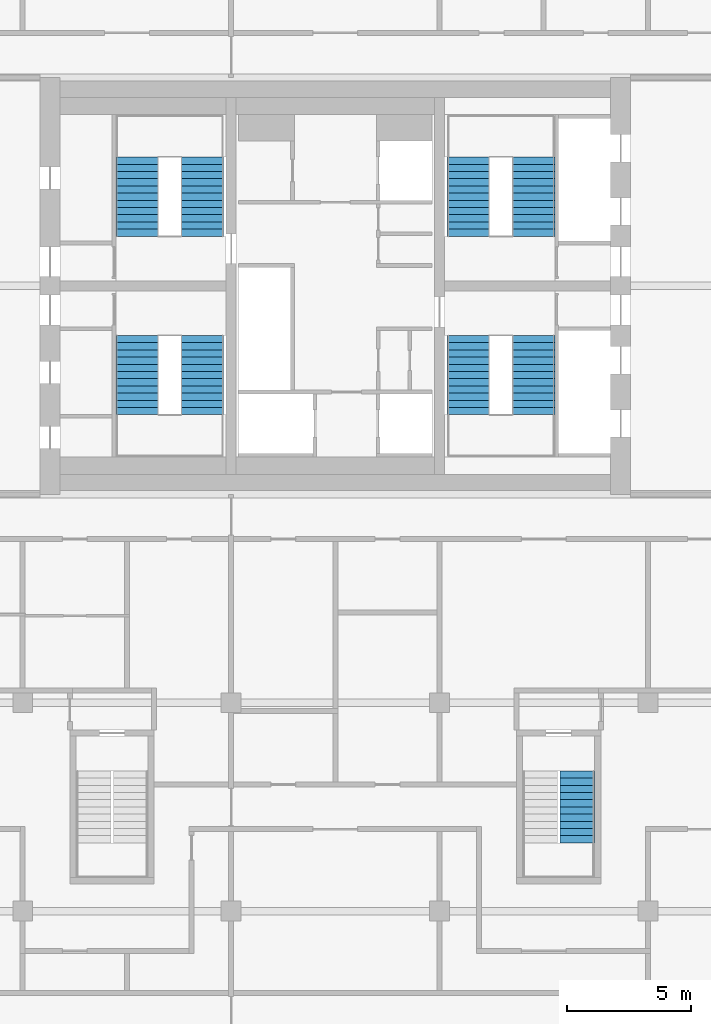
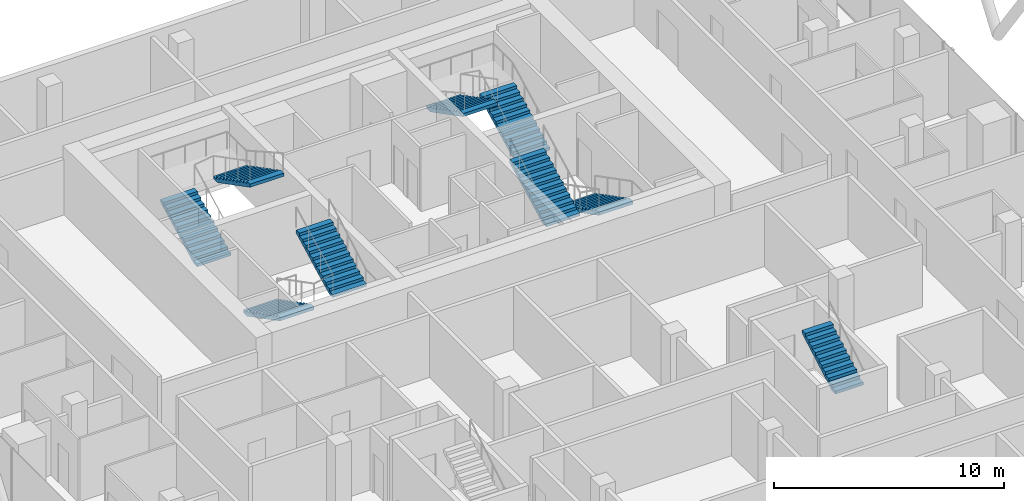
# One storey, part 27 of 28: 9 stair flights, 5 elements without a shape of their own.
"""IFC4 building model written with IfcOpenShell, lengths in metres."""

import ifcopenshell
import ifcopenshell.guid

model = None  # the IFC model being written
_history = None  # IfcOwnerHistory: only IFC2X3 demands one
_inside = {}  # id of a spatial element -> (the spatial element, [elements in it])
_under = {}  # id of a project, library or spatial element -> (it, [spatial elements below it])
_declared = {}  # id of a project -> (the project, [libraries it declares])
_typed = {}  # id of a type object -> (the type object, [elements of that type])
_made_of = {}  # id of a material, layer set ... -> (it, [elements and type objects made of it])


def new_model(schema):
    """Start an empty IFC model of exactly this schema.

    Asked for "IFC4X3", IfcOpenShell would pick the latest addendum, in which some entities
    have other attributes; the version numbers below select the first issue.
    IFC2X3 requires an IfcOwnerHistory on every rooted entity: one is made here for all.
    """
    global model, _history
    if schema == "IFC4X3":
        model = ifcopenshell.file(schema_version=(4, 3, 0, 0))
    else:
        model = ifcopenshell.file(schema=schema)
    _inside.clear()
    _under.clear()
    _declared.clear()
    _typed.clear()
    _made_of.clear()
    _history = None
    if model.schema == "IFC2X3":
        org = make("IfcOrganization", Name="unknown")
        user = make(
            "IfcPersonAndOrganization",
            ThePerson=make("IfcPerson", FamilyName="unknown"),
            TheOrganization=org,
        )
        app = make(
            "IfcApplication",
            ApplicationDeveloper=org,
            Version="unknown",
            ApplicationFullName="unknown",
            ApplicationIdentifier="unknown",
        )
        _history = make(
            "IfcOwnerHistory",
            OwningUser=user,
            OwningApplication=app,
            ChangeAction="ADDED",
            CreationDate=0,
        )
    return model


def make(cls, **values):
    """One entity of the class cls with the attributes given. An attribute that is None is left unset."""
    return model.create_entity(
        cls, **{name: value for name, value in values.items() if value is not None}
    )


def rooted(cls, **values):
    """An entity with a GlobalId (a new one), such as an element, a storey or a relation."""
    return make(cls, GlobalId=ifcopenshell.guid.new(), OwnerHistory=_history, **values)


def si_unit(unit_type, name, prefix=None):
    """IfcSIUnit, for example si_unit("LENGTHUNIT", "METRE", prefix="MILLI")."""
    return make("IfcSIUnit", UnitType=unit_type, Prefix=prefix, Name=name)


def assignment(units):
    """IfcUnitAssignment: the units of a project."""
    return None if units is None else make("IfcUnitAssignment", Units=units)


def point(xyz):
    """IfcCartesianPoint."""
    return None if xyz is None else make("IfcCartesianPoint", Coordinates=xyz)


def direction(xyz):
    """IfcDirection."""
    return None if xyz is None else make("IfcDirection", DirectionRatios=xyz)


def frame(location, z_axis=None, x_axis=None):
    """IfcAxis2Placement3D, a coordinate frame: its origin and axes. An axis left out is left unset."""
    return make(
        "IfcAxis2Placement3D",
        Location=point(location),
        Axis=direction(z_axis),
        RefDirection=direction(x_axis),
    )


def origin():
    """The frame at (0, 0, 0) with its axes left unset."""
    return frame((0.0, 0.0, 0.0))


def place(relative_to, where):
    """IfcLocalPlacement: puts the frame where relative to a parent placement (None: the world)."""
    return make(
        "IfcLocalPlacement", PlacementRelTo=relative_to, RelativePlacement=where
    )


def context(
    kind, dimensions, precision=None, world=None, true_north=None, identifier=None
):
    """IfcGeometricRepresentationContext, for example the 3D "Model" context."""
    return make(
        "IfcGeometricRepresentationContext",
        ContextIdentifier=identifier,
        ContextType=kind,
        CoordinateSpaceDimension=dimensions,
        Precision=precision,
        WorldCoordinateSystem=world,
        TrueNorth=true_north,
    )


def subcontext(parent, identifier, kind, view, scale=None):
    """IfcGeometricRepresentationSubContext, for example "Body" below "Model"."""
    return make(
        "IfcGeometricRepresentationSubContext",
        ContextIdentifier=identifier,
        ContextType=kind,
        ParentContext=parent,
        TargetScale=scale,
        TargetView=view,
    )


def project(units=None, contexts=None):
    """IfcProject with its units and contexts."""
    return rooted(
        "IfcProject",
        Name="project",
        RepresentationContexts=contexts,
        UnitsInContext=assignment(units),
    )


def spatial(cls, under=None, at=None, **own):
    """A site, building, storey or space (cls), placed at a placement, below another one or the project."""
    s = rooted(cls, ObjectPlacement=at, **own)
    if under is not None:
        _under.setdefault(under.id(), (under, []))[1].append(s)
    return s


def polyline(points):
    """IfcPolyline through the points."""
    return make("IfcPolyline", Points=[point(p) for p in points])


def outline(outer, holes=None, kind="AREA"):
    """IfcArbitraryClosedProfileDef: a profile drawn as a closed curve; with holes, ...WithVoids."""
    if holes is None:
        return make("IfcArbitraryClosedProfileDef", ProfileType=kind, OuterCurve=outer)
    return make(
        "IfcArbitraryProfileDefWithVoids",
        ProfileType=kind,
        OuterCurve=outer,
        InnerCurves=holes,
    )


def extrude(swept, where, along, depth):
    """IfcExtrudedAreaSolid: the profile swept, set in the frame where, extruded along a direction by depth."""
    return make(
        "IfcExtrudedAreaSolid",
        SweptArea=swept,
        Position=where,
        ExtrudedDirection=direction(along),
        Depth=depth,
    )


def shape(context_of_items, identifier, shape_type, items):
    """IfcShapeRepresentation: the items that make up one representation, for example the "Body"."""
    return make(
        "IfcShapeRepresentation",
        ContextOfItems=context_of_items,
        RepresentationIdentifier=identifier,
        RepresentationType=shape_type,
        Items=items,
    )


def material(Name=None, Category=None):
    """IfcMaterial."""
    return make("IfcMaterial", Name=Name, Category=Category)


def made_of(thing, what):
    """Note that an element or type object is made of a material, layer set ...; save() writes the relation."""
    if what is not None:
        _made_of.setdefault(what.id(), (what, []))[1].append(thing)
    return thing


def type_object(cls, material=None, **own):
    """A type object (cls), such as IfcWallType, which elements share."""
    return made_of(rooted(cls, **own), material)


def element(
    cls,
    number,
    at=None,
    inside=None,
    cuts=None,
    type_object=None,
    material=None,
    context=None,
    identifier="Body",
    shape_type=None,
    held_by="IfcProductDefinitionShape",
    body=None,
    shapes=None,
    **own,
):
    """One element of the class cls, such as IfcWall. Its Tag is "e" and its number.

    at: its placement. inside: the storey or other place that contains it. cuts: it is an
    opening in that element (IfcRelVoidsElement). A single representation is given by context,
    identifier, shape_type and body (its items); several are given by shapes. held_by: the class
    of the entity that holds the representations. save() writes the other relations.
    """
    e = rooted(cls, Tag="e%d" % number, ObjectPlacement=at, **own)
    if body is not None:
        shapes = [shape(context, identifier, shape_type, body)]
    if shapes is not None:
        e.Representation = make(held_by, Representations=shapes)
    if inside is not None:
        _inside.setdefault(inside.id(), (inside, []))[1].append(e)
    if cuts is not None:
        rooted(
            "IfcRelVoidsElement", RelatingBuildingElement=cuts, RelatedOpeningElement=e
        )
    if type_object is not None:
        _typed.setdefault(type_object.id(), (type_object, []))[1].append(e)
    return made_of(e, material)


def aggregate(whole, parts):
    """IfcRelAggregates: a whole, such as a stair, and the parts it consists of."""
    return rooted("IfcRelAggregates", RelatingObject=whole, RelatedObjects=parts)


def save(model, path):
    """Write the relations noted so far, then the file.

    IfcRelAggregates (storeys below a building ...), IfcRelContainedInSpatialStructure (elements
    in a storey), IfcRelDefinesByType, IfcRelAssociatesMaterial and IfcRelDeclares: one each for
    every whole, place, type object, material and project.
    """
    for whole, parts in _under.values():
        aggregate(whole, parts)
    for where, things in _inside.values():
        rooted(
            "IfcRelContainedInSpatialStructure",
            RelatedElements=things,
            RelatingStructure=where,
        )
    for kind, things in _typed.values():
        rooted("IfcRelDefinesByType", RelatedObjects=things, RelatingType=kind)
    for what, things in _made_of.values():
        rooted("IfcRelAssociatesMaterial", RelatedObjects=things, RelatingMaterial=what)
    for by, libraries in _declared.values():
        rooted("IfcRelDeclares", RelatingContext=by, RelatedDefinitions=libraries)
    model.write(path)


model = new_model("IFC4")

# Units and contexts
model_context = context("Model", 3, precision=1e-05, world=origin(), true_north=direction((0.0, 1.0)))
body_context = subcontext(model_context, "Body", "Model", "MODEL_VIEW")
ifc_project = project(units=[si_unit("LENGTHUNIT", "METRE"), si_unit("AREAUNIT", "SQUARE_METRE"), si_unit("VOLUMEUNIT", "CUBIC_METRE"), si_unit("PLANEANGLEUNIT", "RADIAN"), si_unit("MASSUNIT", "GRAM", prefix="KILO")], contexts=[model_context])

# Site, building, storey
site_placement = place(None, origin())
site = spatial("IfcSite", under=ifc_project, at=site_placement, CompositionType="ELEMENT")
building_placement = place(site_placement, origin())
building = spatial("IfcBuilding", under=site, at=building_placement, Name="Marenta Gate Hotel Tower", CompositionType="ELEMENT")
storey_placement = place(building_placement, frame((0.0, 0.0, 241.699951171875)))
storey = spatial("IfcBuildingStorey", under=building, at=storey_placement, Name="L57", CompositionType="ELEMENT", Elevation=241.699951171875)

# Stair, stair flights
ifc_material_1 = material(Name="Concrete C40", Category="concrete")
stair_type_1 = type_object("IfcStairType", Name="Core exit stair 1700 wide", PredefinedType="HALF_TURN_STAIR", material=ifc_material_1)
stair_1_placement = place(storey_placement, origin())
stair_1 = element("IfcStair", 1, at=stair_1_placement, inside=storey, type_object=stair_type_1, Name="Exit stair 1", PredefinedType="HALF_TURN_STAIR")
ifc_material_2 = material(Name="Concrete C40", Category="concrete")
stair_flight_type_1 = type_object("IfcStairFlightType", Name="Core stair flight 1700 riser 150.0 going 290", PredefinedType="STRAIGHT", material=ifc_material_2)
stair_flight_1_placement = place(storey_placement, frame((-8.0, 6.39990234375, 0.0), z_axis=(0.0, 0.0, 1.0), x_axis=(0.0, -1.0, 0.0)))
stair_flight_1 = element("IfcStairFlight", 2, at=stair_flight_1_placement, type_object=stair_flight_type_1, Name="ST1 flight 1", NumberOfRisers=12, NumberOfTreads=11, PredefinedType="STRAIGHT", RiserHeight=0.15, TreadLength=0.29, context=body_context, shape_type="SweptSolid", body=[
    extrude(outline(polyline([(0.0, 0.0), (0.0, 0.14990234375), (0.2900390625, 0.14990234375), (0.2900390625, 0.300048828125), (0.580078125, 0.300048828125), (0.580078125, 0.449951171875), (0.8701171875, 0.449951171875), (0.8701171875, 0.60009765625), (1.159912109375, 0.60009765625), (1.159912109375, 0.75), (1.449951171875, 0.75), (1.449951171875, 0.89990234375), (1.739990234375, 0.89990234375), (1.739990234375, 1.050048828125), (2.030029296875, 1.050048828125), (2.030029296875, 1.199951171875), (2.320068359375, 1.199951171875), (2.320068359375, 1.35009765625), (2.610107421875, 1.35009765625), (2.610107421875, 1.5), (2.89990234375, 1.5), (2.89990234375, 1.64990234375), (3.18994140625, 1.64990234375), (3.18994140625, 1.800048828125), (3.18994140625, 1.481201171875), (0.326171875, 0.0), (0.0, 0.0)])), frame((0.0, 0.85009765625, 0.0), z_axis=(0.0, -1.0, 0.0), x_axis=(1.0, 0.0, 0.0)), (0.0, 0.0, 1.0), 1.699951171875),
])
stair_flight_2_placement = place(storey_placement, frame((-5.35009765625, 3.2099609375, 1.800048828125), z_axis=(0.0, 0.0, 1.0), x_axis=(0.0, 1.0, 0.0)))
stair_flight_2 = element("IfcStairFlight", 3, at=stair_flight_2_placement, type_object=stair_flight_type_1, Name="ST1 flight 2", NumberOfRisers=12, NumberOfTreads=11, PredefinedType="STRAIGHT", RiserHeight=0.15, TreadLength=0.29, context=body_context, shape_type="SweptSolid", body=[
    extrude(outline(polyline([(0.0, 0.0), (0.0, 0.14990234375), (0.2900390625, 0.14990234375), (0.2900390625, 0.300048828125), (0.580078125, 0.300048828125), (0.580078125, 0.449951171875), (0.8701171875, 0.449951171875), (0.8701171875, 0.60009765625), (1.159912109375, 0.60009765625), (1.159912109375, 0.75), (1.449951171875, 0.75), (1.449951171875, 0.89990234375), (1.739990234375, 0.89990234375), (1.739990234375, 1.050048828125), (2.030029296875, 1.050048828125), (2.030029296875, 1.199951171875), (2.320068359375, 1.199951171875), (2.320068359375, 1.35009765625), (2.610107421875, 1.35009765625), (2.610107421875, 1.5), (2.89990234375, 1.5), (2.89990234375, 1.64990234375), (3.18994140625, 1.64990234375), (3.18994140625, 1.800048828125), (3.18994140625, 1.481201171875), (0.326171875, 0.0), (0.0, 0.0)])), frame((0.0, 0.85009765625, 0.0), z_axis=(0.0, -1.0, 0.0), x_axis=(1.0, 0.0, 0.0)), (0.0, 0.0, 1.0), 1.699951171875),
])
aggregate(stair_1, [stair_flight_1, stair_flight_2])

stair_2_placement = place(storey_placement, origin())
stair_2 = element("IfcStair", 4, at=stair_2_placement, inside=storey, type_object=stair_type_1, Name="Exit stair 2", PredefinedType="HALF_TURN_STAIR")
stair_flight_3_placement = place(storey_placement, frame((-8.0, 10.39990234375, 0.0), z_axis=(0.0, 0.0, 1.0), x_axis=(0.0, 1.0, 0.0)))
stair_flight_3 = element("IfcStairFlight", 5, at=stair_flight_3_placement, type_object=stair_flight_type_1, Name="ST2 flight 1", NumberOfRisers=12, NumberOfTreads=11, PredefinedType="STRAIGHT", RiserHeight=0.15, TreadLength=0.29, context=body_context, shape_type="SweptSolid", body=[
    extrude(outline(polyline([(0.0, 0.0), (0.0, 0.14990234375), (0.2900390625, 0.14990234375), (0.2900390625, 0.300048828125), (0.580078125, 0.300048828125), (0.580078125, 0.449951171875), (0.8701171875, 0.449951171875), (0.8701171875, 0.60009765625), (1.159912109375, 0.60009765625), (1.159912109375, 0.75), (1.449951171875, 0.75), (1.449951171875, 0.89990234375), (1.739990234375, 0.89990234375), (1.739990234375, 1.050048828125), (2.030029296875, 1.050048828125), (2.030029296875, 1.199951171875), (2.320068359375, 1.199951171875), (2.320068359375, 1.35009765625), (2.610107421875, 1.35009765625), (2.610107421875, 1.5), (2.89990234375, 1.5), (2.89990234375, 1.64990234375), (3.18994140625, 1.64990234375), (3.18994140625, 1.800048828125), (3.18994140625, 1.481201171875), (0.326171875, 0.0), (0.0, 0.0)])), frame((0.0, 0.85009765625, 0.0), z_axis=(0.0, -1.0, 0.0), x_axis=(1.0, 0.0, 0.0)), (0.0, 0.0, 1.0), 1.699951171875),
])
stair_flight_4_placement = place(storey_placement, frame((-5.35009765625, 13.590087890625, 1.800048828125), z_axis=(0.0, 0.0, 1.0), x_axis=(0.0, -1.0, 0.0)))
stair_flight_4 = element("IfcStairFlight", 6, at=stair_flight_4_placement, type_object=stair_flight_type_1, Name="ST2 flight 2", NumberOfRisers=12, NumberOfTreads=11, PredefinedType="STRAIGHT", RiserHeight=0.15, TreadLength=0.29, context=body_context, shape_type="SweptSolid", body=[
    extrude(outline(polyline([(0.0, 0.0), (0.0, 0.14990234375), (0.2900390625, 0.14990234375), (0.2900390625, 0.300048828125), (0.580078125, 0.300048828125), (0.580078125, 0.449951171875), (0.8701171875, 0.449951171875), (0.8701171875, 0.60009765625), (1.159912109375, 0.60009765625), (1.159912109375, 0.75), (1.449951171875, 0.75), (1.449951171875, 0.89990234375), (1.739990234375, 0.89990234375), (1.739990234375, 1.050048828125), (2.030029296875, 1.050048828125), (2.030029296875, 1.199951171875), (2.320068359375, 1.199951171875), (2.320068359375, 1.35009765625), (2.610107421875, 1.35009765625), (2.610107421875, 1.5), (2.89990234375, 1.5), (2.89990234375, 1.64990234375), (3.18994140625, 1.64990234375), (3.18994140625, 1.800048828125), (3.18994140625, 1.481201171875), (0.326171875, 0.0), (0.0, 0.0)])), frame((0.0, 0.85009765625, 0.0), z_axis=(0.0, -1.0, 0.0), x_axis=(1.0, 0.0, 0.0)), (0.0, 0.0, 1.0), 1.699951171875),
])
aggregate(stair_2, [stair_flight_3, stair_flight_4])

stair_3_placement = place(storey_placement, origin())
stair_3 = element("IfcStair", 7, at=stair_3_placement, inside=storey, type_object=stair_type_1, Name="Exit stair 3", PredefinedType="HALF_TURN_STAIR")
stair_flight_5_placement = place(storey_placement, frame((8.0, 6.39990234375, 0.0), z_axis=(0.0, 0.0, 1.0), x_axis=(0.0, -1.0, 0.0)))
stair_flight_5 = element("IfcStairFlight", 8, at=stair_flight_5_placement, type_object=stair_flight_type_1, Name="ST3 flight 1", NumberOfRisers=12, NumberOfTreads=11, PredefinedType="STRAIGHT", RiserHeight=0.15, TreadLength=0.29, context=body_context, shape_type="SweptSolid", body=[
    extrude(outline(polyline([(0.0, 0.0), (0.0, 0.14990234375), (0.2900390625, 0.14990234375), (0.2900390625, 0.300048828125), (0.580078125, 0.300048828125), (0.580078125, 0.449951171875), (0.8701171875, 0.449951171875), (0.8701171875, 0.60009765625), (1.159912109375, 0.60009765625), (1.159912109375, 0.75), (1.449951171875, 0.75), (1.449951171875, 0.89990234375), (1.739990234375, 0.89990234375), (1.739990234375, 1.050048828125), (2.030029296875, 1.050048828125), (2.030029296875, 1.199951171875), (2.320068359375, 1.199951171875), (2.320068359375, 1.35009765625), (2.610107421875, 1.35009765625), (2.610107421875, 1.5), (2.89990234375, 1.5), (2.89990234375, 1.64990234375), (3.18994140625, 1.64990234375), (3.18994140625, 1.800048828125), (3.18994140625, 1.481201171875), (0.326171875, 0.0), (0.0, 0.0)])), frame((0.0, 0.85009765625, 0.0), z_axis=(0.0, -1.0, 0.0), x_axis=(1.0, 0.0, 0.0)), (0.0, 0.0, 1.0), 1.699951171875),
])
stair_flight_6_placement = place(storey_placement, frame((5.35009765625, 3.2099609375, 1.800048828125), z_axis=(0.0, 0.0, 1.0), x_axis=(0.0, 1.0, 0.0)))
stair_flight_6 = element("IfcStairFlight", 9, at=stair_flight_6_placement, type_object=stair_flight_type_1, Name="ST3 flight 2", NumberOfRisers=12, NumberOfTreads=11, PredefinedType="STRAIGHT", RiserHeight=0.15, TreadLength=0.29, context=body_context, shape_type="SweptSolid", body=[
    extrude(outline(polyline([(0.0, 0.0), (0.0, 0.14990234375), (0.2900390625, 0.14990234375), (0.2900390625, 0.300048828125), (0.580078125, 0.300048828125), (0.580078125, 0.449951171875), (0.8701171875, 0.449951171875), (0.8701171875, 0.60009765625), (1.159912109375, 0.60009765625), (1.159912109375, 0.75), (1.449951171875, 0.75), (1.449951171875, 0.89990234375), (1.739990234375, 0.89990234375), (1.739990234375, 1.050048828125), (2.030029296875, 1.050048828125), (2.030029296875, 1.199951171875), (2.320068359375, 1.199951171875), (2.320068359375, 1.35009765625), (2.610107421875, 1.35009765625), (2.610107421875, 1.5), (2.89990234375, 1.5), (2.89990234375, 1.64990234375), (3.18994140625, 1.64990234375), (3.18994140625, 1.800048828125), (3.18994140625, 1.481201171875), (0.326171875, 0.0), (0.0, 0.0)])), frame((0.0, 0.85009765625, 0.0), z_axis=(0.0, -1.0, 0.0), x_axis=(1.0, 0.0, 0.0)), (0.0, 0.0, 1.0), 1.699951171875),
])
aggregate(stair_3, [stair_flight_5, stair_flight_6])

stair_4_placement = place(storey_placement, origin())
stair_4 = element("IfcStair", 10, at=stair_4_placement, inside=storey, type_object=stair_type_1, Name="Exit stair 4", PredefinedType="HALF_TURN_STAIR")
stair_flight_7_placement = place(storey_placement, frame((8.0, 10.39990234375, 0.0), z_axis=(0.0, 0.0, 1.0), x_axis=(0.0, 1.0, 0.0)))
stair_flight_7 = element("IfcStairFlight", 11, at=stair_flight_7_placement, type_object=stair_flight_type_1, Name="ST4 flight 1", NumberOfRisers=12, NumberOfTreads=11, PredefinedType="STRAIGHT", RiserHeight=0.15, TreadLength=0.29, context=body_context, shape_type="SweptSolid", body=[
    extrude(outline(polyline([(0.0, 0.0), (0.0, 0.14990234375), (0.2900390625, 0.14990234375), (0.2900390625, 0.300048828125), (0.580078125, 0.300048828125), (0.580078125, 0.449951171875), (0.8701171875, 0.449951171875), (0.8701171875, 0.60009765625), (1.159912109375, 0.60009765625), (1.159912109375, 0.75), (1.449951171875, 0.75), (1.449951171875, 0.89990234375), (1.739990234375, 0.89990234375), (1.739990234375, 1.050048828125), (2.030029296875, 1.050048828125), (2.030029296875, 1.199951171875), (2.320068359375, 1.199951171875), (2.320068359375, 1.35009765625), (2.610107421875, 1.35009765625), (2.610107421875, 1.5), (2.89990234375, 1.5), (2.89990234375, 1.64990234375), (3.18994140625, 1.64990234375), (3.18994140625, 1.800048828125), (3.18994140625, 1.481201171875), (0.326171875, 0.0), (0.0, 0.0)])), frame((0.0, 0.85009765625, 0.0), z_axis=(0.0, -1.0, 0.0), x_axis=(1.0, 0.0, 0.0)), (0.0, 0.0, 1.0), 1.699951171875),
])
stair_flight_8_placement = place(storey_placement, frame((5.35009765625, 13.590087890625, 1.800048828125), z_axis=(0.0, 0.0, 1.0), x_axis=(0.0, -1.0, 0.0)))
stair_flight_8 = element("IfcStairFlight", 12, at=stair_flight_8_placement, type_object=stair_flight_type_1, Name="ST4 flight 2", NumberOfRisers=12, NumberOfTreads=11, PredefinedType="STRAIGHT", RiserHeight=0.15, TreadLength=0.29, context=body_context, shape_type="SweptSolid", body=[
    extrude(outline(polyline([(0.0, 0.0), (0.0, 0.14990234375), (0.2900390625, 0.14990234375), (0.2900390625, 0.300048828125), (0.580078125, 0.300048828125), (0.580078125, 0.449951171875), (0.8701171875, 0.449951171875), (0.8701171875, 0.60009765625), (1.159912109375, 0.60009765625), (1.159912109375, 0.75), (1.449951171875, 0.75), (1.449951171875, 0.89990234375), (1.739990234375, 0.89990234375), (1.739990234375, 1.050048828125), (2.030029296875, 1.050048828125), (2.030029296875, 1.199951171875), (2.320068359375, 1.199951171875), (2.320068359375, 1.35009765625), (2.610107421875, 1.35009765625), (2.610107421875, 1.5), (2.89990234375, 1.5), (2.89990234375, 1.64990234375), (3.18994140625, 1.64990234375), (3.18994140625, 1.800048828125), (3.18994140625, 1.481201171875), (0.326171875, 0.0), (0.0, 0.0)])), frame((0.0, 0.85009765625, 0.0), z_axis=(0.0, -1.0, 0.0), x_axis=(1.0, 0.0, 0.0)), (0.0, 0.0, 1.0), 1.699951171875),
])
aggregate(stair_4, [stair_flight_7, stair_flight_8])

# Stair, stair flight
ifc_material_3 = material(Name="Concrete C40", Category="concrete")
stair_type_2 = type_object("IfcStairType", Name="Remote exit stair 1400 wide", PredefinedType="HALF_TURN_STAIR", material=ifc_material_3)
stair_5_placement = place(storey_placement, origin())
stair_5 = element("IfcStair", 13, at=stair_5_placement, inside=storey, type_object=stair_type_2, Name="Exit stair RS-Z3-2", PredefinedType="HALF_TURN_STAIR")
ifc_material_4 = material(Name="Concrete C40", Category="concrete")
stair_flight_type_2 = type_object("IfcStairFlightType", Name="Remote stair flight 1400 riser 163.6 going 290", PredefinedType="STRAIGHT", material=ifc_material_4)
stair_flight_9_placement = place(storey_placement, frame((9.75, -14.050048828125, 1.800048828125), z_axis=(0.0, 0.0, 1.0), x_axis=(0.0, 1.0, 0.0)))
stair_flight_9 = element("IfcStairFlight", 14, at=stair_flight_9_placement, type_object=stair_flight_type_2, Name="RS-Z3-2 flight 2", NumberOfRisers=11, NumberOfTreads=10, PredefinedType="STRAIGHT", RiserHeight=0.163636, TreadLength=0.29, context=body_context, shape_type="SweptSolid", body=[
    extrude(outline(polyline([(0.0, 0.0), (0.0, 0.16357421875), (0.2900390625, 0.16357421875), (0.2900390625, 0.327392578125), (0.580078125, 0.327392578125), (0.580078125, 0.490966796875), (0.8701171875, 0.490966796875), (0.8701171875, 0.654541015625), (1.159912109375, 0.654541015625), (1.159912109375, 0.818115234375), (1.449951171875, 0.818115234375), (1.449951171875, 0.98193359375), (1.739990234375, 0.98193359375), (1.739990234375, 1.1455078125), (2.030029296875, 1.1455078125), (2.030029296875, 1.30908203125), (2.320068359375, 1.30908203125), (2.320068359375, 1.47265625), (2.610107421875, 1.47265625), (2.610107421875, 1.636474609375), (2.89990234375, 1.636474609375), (2.89990234375, 1.800048828125), (2.89990234375, 1.46435546875), (0.304931640625, 0.0), (0.0, 0.0)])), frame((0.0, 0.699951171875, 0.0), z_axis=(0.0, -1.0, 0.0), x_axis=(1.0, 0.0, 0.0)), (0.0, 0.0, 1.0), 1.39990234375),
])
aggregate(stair_5, [stair_flight_9])

save(model, "model.ifc")
